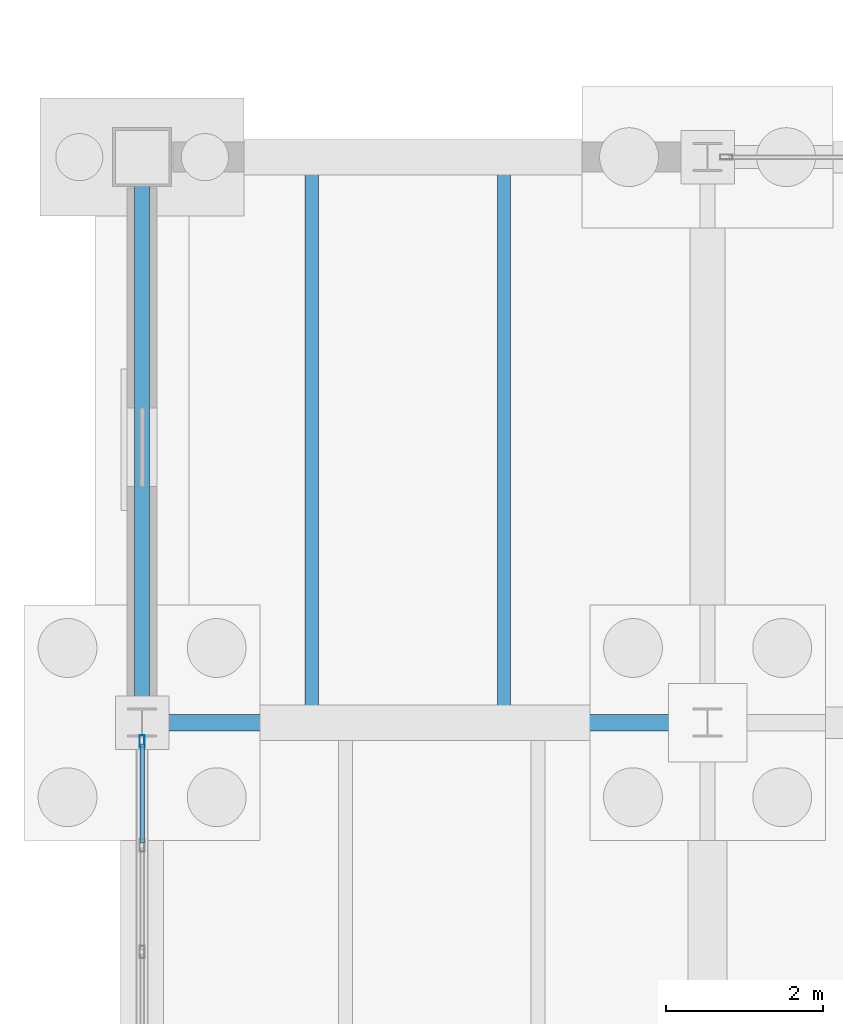
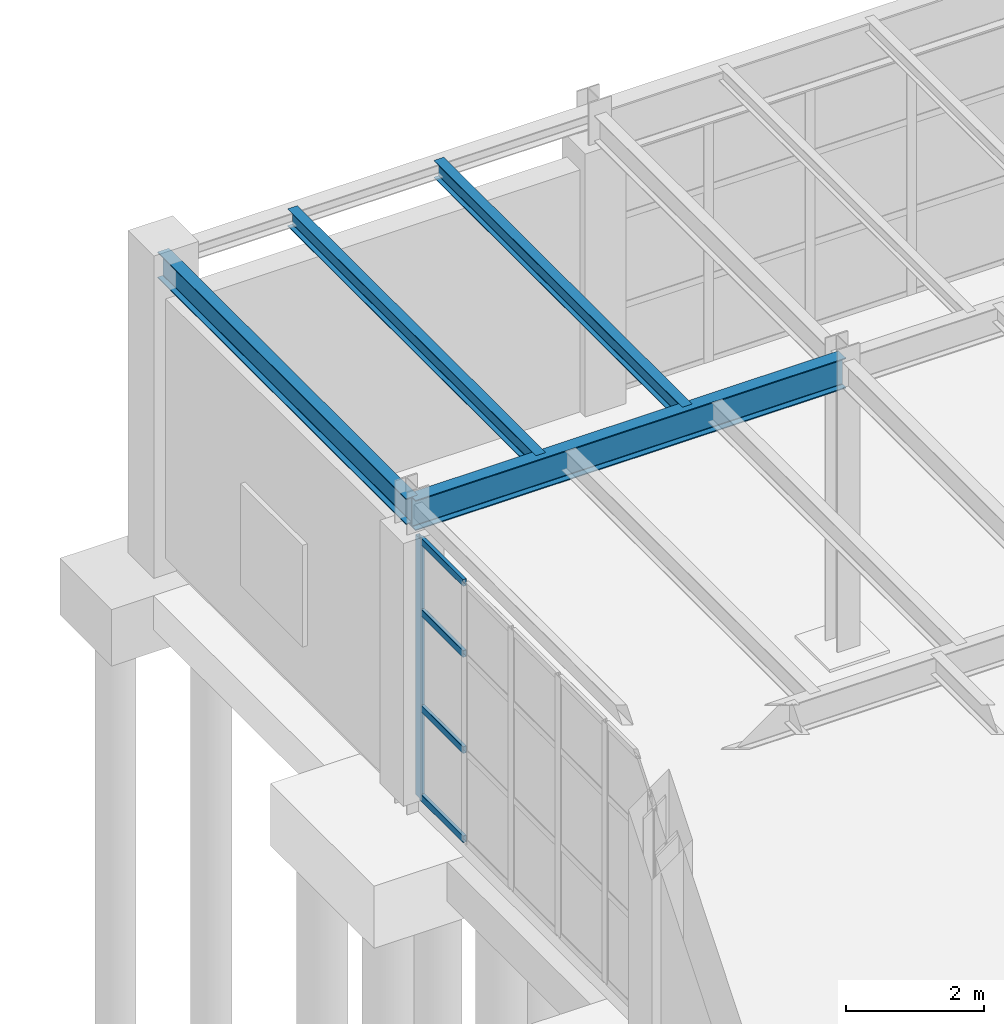
# One storey, part 96 of 293: 5 members, 4 beams, 1 element without a shape of its own.
"""IFC4 building model written with IfcOpenShell, lengths in metres."""

from ifc_helpers import new_model, si_unit, direction, frame, origin, origin_2d, place, context, subcontext, project, spatial, hollow_rectangle, i_section, extrude, material, layer, layer_set, material_profile, profile_set, type_object, element, aggregate, save


model = new_model("IFC4")

# Units and contexts
model_context = context("Model", 3, precision=1e-05, world=origin(), true_north=direction((0.0, 1.0)))
body_context = subcontext(model_context, "Body", "Model", "MODEL_VIEW")
ifc_project = project(units=[si_unit("LENGTHUNIT", "METRE"), si_unit("AREAUNIT", "SQUARE_METRE"), si_unit("VOLUMEUNIT", "CUBIC_METRE"), si_unit("PLANEANGLEUNIT", "RADIAN"), si_unit("MASSUNIT", "GRAM", prefix="KILO")], contexts=[model_context])

# Site, building, storey
site_placement = place(None, origin())
site = spatial("IfcSite", under=ifc_project, at=site_placement, CompositionType="ELEMENT")
building_placement = place(site_placement, origin())
building = spatial("IfcBuilding", under=site, at=building_placement, Name="Kemerveld Promenade Tramway Depot", CompositionType="ELEMENT")
storey_placement = place(building_placement, origin())
storey = spatial("IfcBuildingStorey", under=building, at=storey_placement, Name="L00", CompositionType="ELEMENT", Elevation=0.0)

# Beams
ifc_material_1 = material(Name="Steel S355", Category="steel")
ifc_material_profile_1 = material_profile(ifc_material_1, i_section(OverallWidth=0.2099609375, OverallDepth=0.53662109375, WebThickness=0.0107421875, FlangeThickness=0.017333984375, FilletRadius=0.0126953125, at=origin_2d()), Name="533x210x101 UB")
ifc_profile_set_1 = profile_set([ifc_material_profile_1], Name="Steel S355")
beam_type_1 = type_object("IfcBeamType", Name="BM-G05", PredefinedType="BEAM", material=ifc_profile_set_1)
beam_1_placement = place(storey_placement, frame((0.0, 72.0, 4.881591796875), z_axis=(1.0, 0.0, 0.0), x_axis=(0.0, 1.0, 0.0)))
element("IfcBeam", 1, at=beam_1_placement, inside=storey, type_object=beam_type_1, Name="BMX-L00-01-02-L", PredefinedType="BEAM", context=body_context, shape_type="SweptSolid", body=[
    extrude(i_section(OverallWidth=0.2099609375, OverallDepth=0.53662109375, WebThickness=0.0107421875, FlangeThickness=0.017333984375, FilletRadius=0.0126953125, at=origin_2d()), origin(), (0.0, 0.0, 1.0), 7.199951171875),
])
ifc_material_profile_2 = material_profile(ifc_material_1, i_section(OverallWidth=0.19140625, OverallDepth=0.4599609375, WebThickness=0.010009765625, FlangeThickness=0.01611328125, FilletRadius=0.01025390625, at=origin_2d()), Name="457x191x82 UB")
ifc_profile_set_2 = profile_set([ifc_material_profile_2], Name="Steel S355")
beam_type_2 = type_object("IfcBeamType", Name="BM-G06", PredefinedType="BEAM", material=ifc_profile_set_2)
beam_2_placement = place(storey_placement, frame((0.0, 72.0, 4.919921875), z_axis=(0.0, 1.0, 0.0), x_axis=(-1.0, 0.0, 0.0)))
element("IfcBeam", 2, at=beam_2_placement, inside=storey, type_object=beam_type_2, Name="BMY-L00-01-L-M", PredefinedType="BEAM", context=body_context, shape_type="SweptSolid", body=[
    extrude(i_section(OverallWidth=0.19140625, OverallDepth=0.4599609375, WebThickness=0.010009765625, FlangeThickness=0.01611328125, FilletRadius=0.01025390625, at=origin_2d()), origin(), (0.0, 0.0, 1.0), 7.199951171875),
])
ifc_material_profile_3 = material_profile(ifc_material_1, i_section(OverallWidth=0.165771484375, OverallDepth=0.306640625, WebThickness=0.006591796875, FlangeThickness=0.01171875, FilletRadius=0.0087890625, at=origin_2d()), Name="305x165x46 UB")
ifc_profile_set_3 = profile_set([ifc_material_profile_3], Name="Steel S355")
beam_type_3 = type_object("IfcBeamType", Name="BM-J01", PredefinedType="JOIST", material=ifc_profile_set_3)
for number, where, z_axis, x_axis, name in (
    (3, (2.159912109375, 72.0, 4.99658203125), (0.0, 1.0, 0.0), (-1.0, 0.0, 0.0), "JST-L00-01-L-1"),
    (4, (4.60791015625, 72.0, 4.99658203125), (0.0, 1.0, 0.0), (-1.0, 0.0, 0.0), "JST-L00-01-L-2"),
):
    element("IfcBeam", number, at=place(storey_placement, frame(where, z_axis=z_axis, x_axis=x_axis)), inside=storey, type_object=beam_type_3, Name=name, PredefinedType="JOIST", context=body_context, shape_type="SweptSolid", body=[
        extrude(i_section(OverallWidth=0.165771484375, OverallDepth=0.306640625, WebThickness=0.006591796875, FlangeThickness=0.01171875, FilletRadius=0.0087890625, at=origin_2d()), origin(), (0.0, 0.0, 1.0), 7.199951171875),
    ])

# Curtain wall, members
ifc_material_2 = material(Name="Bronze anodised aluminium and solar glass", Category="aluminium")
ifc_layer = layer(ifc_material_2, 0.159912109375)
ifc_layer_set = layer_set([ifc_layer], Name="CW-SYS-13")
curtain_wall_type = type_object("IfcCurtainWallType", Name="CW-SYS-13", PredefinedType="USERDEFINED", material=ifc_layer_set)
curtain_wall_placement = place(storey_placement, origin())
curtain_wall = element("IfcCurtainWall", 5, at=curtain_wall_placement, inside=storey, type_object=curtain_wall_type, Name="CW-L00-V5W-10", ObjectType="GLAZED_CURTAIN_WALL", PredefinedType="USERDEFINED")
ifc_material_3 = material(Name="Bronze anodised aluminium", Category="aluminium")
ifc_material_profile_4 = material_profile(ifc_material_3, hollow_rectangle(XDim=0.06494140625, YDim=0.159912109375, WallThickness=0.00390625, InnerFilletRadius=0.001953125, OuterFilletRadius=0.00390625, at=origin_2d()), Name="CW-MUL-160x65")
ifc_profile_set_4 = profile_set([ifc_material_profile_4], Name="Bronze anodised aluminium")
member_type_1 = type_object("IfcMemberType", Name="CW-MUL-A", PredefinedType="MULLION", material=ifc_profile_set_4)
member_1_placement = place(storey_placement, frame((0.0, 71.76123046875, 0.0), z_axis=(0.0, 0.0, 1.0), x_axis=(-1.0, 0.0, 0.0)))
member_1 = element("IfcMember", 6, at=member_1_placement, type_object=member_type_1, Name="CW13 mullion 6", PredefinedType="MULLION", context=body_context, shape_type="SweptSolid", body=[
    extrude(hollow_rectangle(XDim=0.06494140625, YDim=0.159912109375, WallThickness=0.00390625, InnerFilletRadius=0.001953125, OuterFilletRadius=0.00390625, at=origin_2d()), origin(), (0.0, 0.0, 1.0), 4.593505859375),
])
ifc_material_profile_5 = material_profile(ifc_material_3, hollow_rectangle(XDim=0.06005859375, YDim=0.1201171875, WallThickness=0.00390625, InnerFilletRadius=0.001953125, OuterFilletRadius=0.00390625, at=origin_2d()), Name="CW-TRN-120x60")
ifc_profile_set_5 = profile_set([ifc_material_profile_5], Name="Bronze anodised aluminium")
member_type_2 = type_object("IfcMemberType", Name="CW-TRN-A", PredefinedType="USERDEFINED", material=ifc_profile_set_5)
member_2_placement = place(storey_placement, frame((0.0, 70.46875, 0.030029296875), z_axis=(0.0, 1.0, 0.0), x_axis=(-1.0, 0.0, 0.0)))
member_2 = element("IfcMember", 7, at=member_2_placement, type_object=member_type_2, Name="CW13 transom 5.1", ObjectType="TRANSOM", PredefinedType="USERDEFINED", context=body_context, shape_type="SweptSolid", body=[
    extrude(hollow_rectangle(XDim=0.06005859375, YDim=0.1201171875, WallThickness=0.00390625, InnerFilletRadius=0.001953125, OuterFilletRadius=0.00390625, at=origin_2d()), origin(), (0.0, 0.0, 1.0), 1.260009765625),
])
member_3_placement = place(storey_placement, frame((0.0, 70.46875, 1.60791015625), z_axis=(0.0, 1.0, 0.0), x_axis=(-1.0, 0.0, 0.0)))
member_3 = element("IfcMember", 8, at=member_3_placement, type_object=member_type_2, Name="CW13 transom 5.2", ObjectType="TRANSOM", PredefinedType="USERDEFINED", context=body_context, shape_type="SweptSolid", body=[
    extrude(hollow_rectangle(XDim=0.06005859375, YDim=0.1201171875, WallThickness=0.00390625, InnerFilletRadius=0.001953125, OuterFilletRadius=0.00390625, at=origin_2d()), origin(), (0.0, 0.0, 1.0), 1.260009765625),
])
member_4_placement = place(storey_placement, frame((0.0, 70.46875, 3.306884765625), z_axis=(0.0, 1.0, 0.0), x_axis=(-1.0, 0.0, 0.0)))
member_4 = element("IfcMember", 9, at=member_4_placement, type_object=member_type_2, Name="CW13 transom 5.3", ObjectType="TRANSOM", PredefinedType="USERDEFINED", context=body_context, shape_type="SweptSolid", body=[
    extrude(hollow_rectangle(XDim=0.06005859375, YDim=0.1201171875, WallThickness=0.00390625, InnerFilletRadius=0.001953125, OuterFilletRadius=0.00390625, at=origin_2d()), origin(), (0.0, 0.0, 1.0), 1.260009765625),
])
member_5_placement = place(storey_placement, frame((0.0, 70.46875, 4.5634765625), z_axis=(0.0, 1.0, 0.0), x_axis=(-1.0, 0.0, 0.0)))
member_5 = element("IfcMember", 10, at=member_5_placement, type_object=member_type_2, Name="CW13 transom 5.4", ObjectType="TRANSOM", PredefinedType="USERDEFINED", context=body_context, shape_type="SweptSolid", body=[
    extrude(hollow_rectangle(XDim=0.06005859375, YDim=0.1201171875, WallThickness=0.00390625, InnerFilletRadius=0.001953125, OuterFilletRadius=0.00390625, at=origin_2d()), origin(), (0.0, 0.0, 1.0), 1.260009765625),
])
aggregate(curtain_wall, [member_1, member_2, member_3, member_4, member_5])

save(model, "model.ifc")
